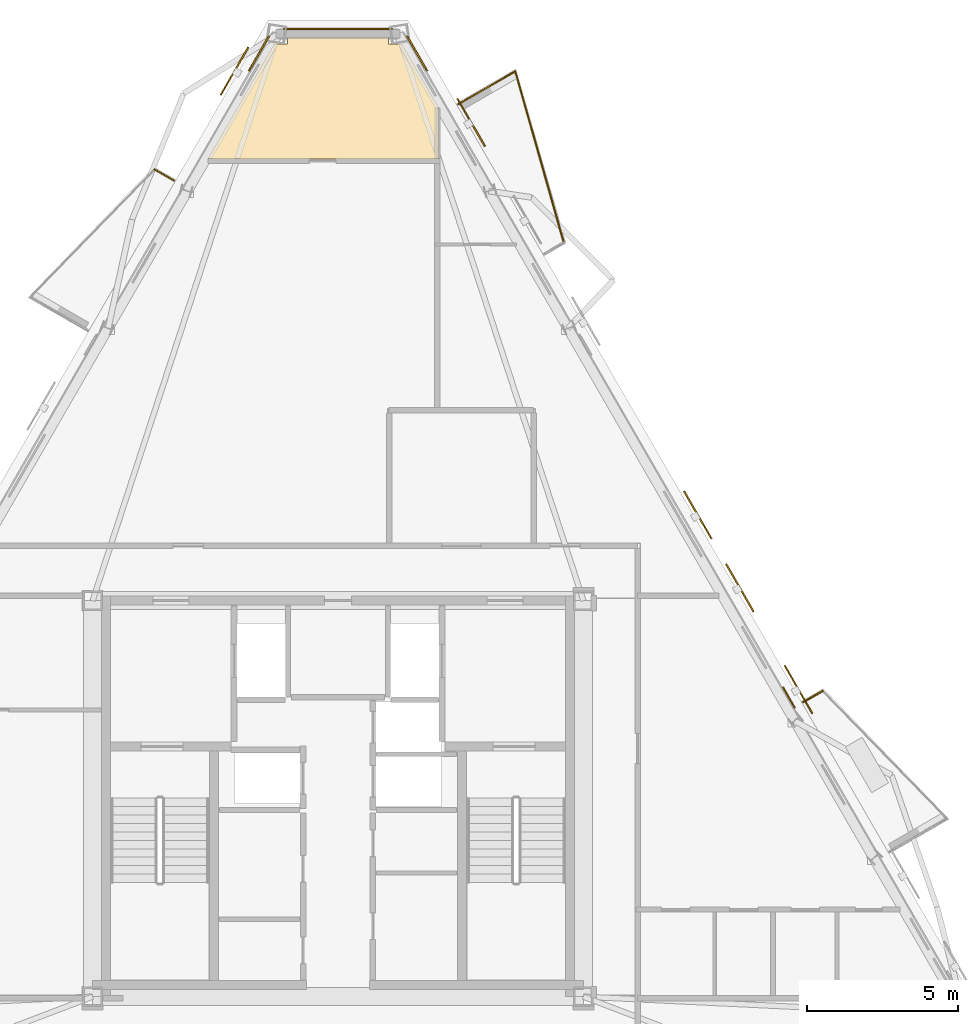
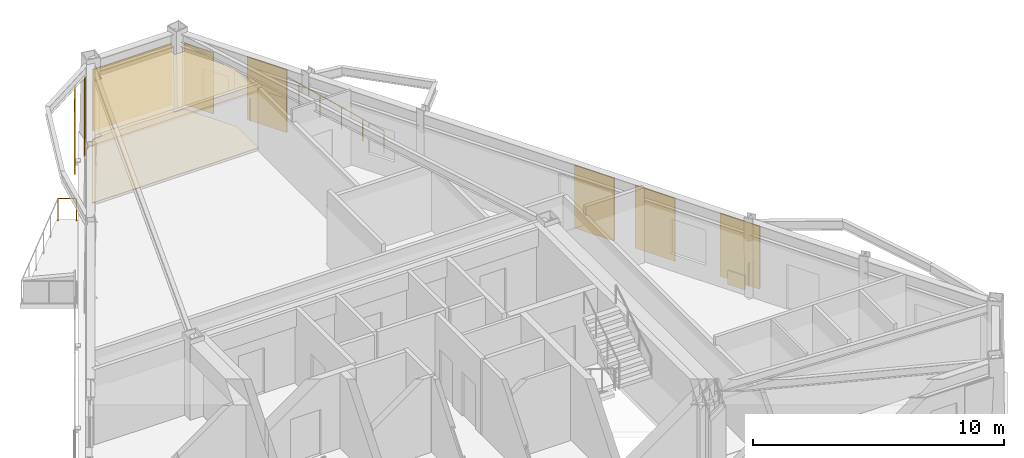
# One storey, part 9 of 9: 6 coverings, 5 shading devices, 4 railings.
"""IFC4 building model written with IfcOpenShell, lengths in metres."""

from ifc_helpers import new_model, si_unit, direction, frame, origin, origin_2d, place, context, subcontext, project, spatial, polyline, rectangle, circle, outline, extrude, material, layer, layer_set, type_object, element, save


model = new_model("IFC4")

# Units and contexts
model_context = context("Model", 3, precision=1e-05, world=origin(), true_north=direction((0.0, 1.0)))
body_context = subcontext(model_context, "Body", "Model", "MODEL_VIEW")
ifc_project = project(units=[si_unit("LENGTHUNIT", "METRE"), si_unit("AREAUNIT", "SQUARE_METRE"), si_unit("VOLUMEUNIT", "CUBIC_METRE"), si_unit("PLANEANGLEUNIT", "RADIAN"), si_unit("MASSUNIT", "GRAM", prefix="KILO")], contexts=[model_context])

# Site, building, storey
site_placement = place(None, origin())
site = spatial("IfcSite", under=ifc_project, at=site_placement, CompositionType="ELEMENT")
building_placement = place(site_placement, origin())
building = spatial("IfcBuilding", under=site, at=building_placement, Name="Oramaril Tower", CompositionType="ELEMENT")
storey_placement = place(building_placement, frame((0.0, 0.0, 292.800048828125)))
storey = spatial("IfcBuildingStorey", under=building, at=storey_placement, Name="L77", CompositionType="ELEMENT", Elevation=292.800048828125)

# Coverings
ifc_material_1 = material(Name="Mineral Fibre Acoustic Ceiling")
ifc_layer_1 = layer(ifc_material_1, 0.02001953125)
ifc_layer_set_1 = layer_set([ifc_layer_1], Name="CVT-CEIL")
covering_type_1 = type_object("IfcCoveringType", Name="CVT-CEIL", PredefinedType="CEILING", material=ifc_layer_set_1)
covering_1_placement = place(storey_placement, frame((0.0, 0.0, 2.81201171875)))
element("IfcCovering", 1, at=covering_1_placement, inside=storey, type_object=covering_type_1, Name="L77 Acoustic Suspended Ceiling 15", PredefinedType="CEILING", context=body_context, shape_type="SweptSolid", body=[
    extrude(outline(polyline([(39.172119140625, 42.646728515625), (39.617919921875, 42.646728515625), (40.842041015625, 40.526123046875), (40.842041015625, 38.81689453125), (33.171142578125, 38.81689453125), (35.382080078125, 42.646728515625), (35.827880859375, 42.646728515625), (35.827880859375, 42.8681640625), (39.172119140625, 42.8681640625), (39.172119140625, 42.646728515625)])), origin(), (0.0, 0.0, 1.0), 0.02001953125),
])
ifc_material_2 = material(Name="Warm Cream Limestone", Category="masonry")
ifc_layer_2 = layer(ifc_material_2, 0.050048828125)
ifc_layer_set_2 = layer_set([ifc_layer_2], Name="CVT-CLD")
covering_type_2 = type_object("IfcCoveringType", Name="CVT-CLD", PredefinedType="CLADDING", material=ifc_layer_set_2)
covering_2_placement = place(storey_placement, frame((40.122802734375, 42.323974609375, 0.0400390625), z_axis=(0.0, 0.0, 1.0), x_axis=(-0.5, 0.866025403784, 0.0)))
element("IfcCovering", 2, at=covering_2_placement, inside=storey, type_object=covering_type_2, Name="L77 Warm Cream Limestone Cladding", PredefinedType="CLADDING", context=body_context, shape_type="SweptSolid", body=[
    extrude(rectangle(XDim=1.35009765625, YDim=0.050048828125, at=origin_2d()), origin(), (0.0, 0.0, 1.0), 2.97802734375),
])
covering_3_placement = place(storey_placement, frame((52.4716796875, 20.93505859375, 0.0400390625), z_axis=(0.0, 0.0, 1.0), x_axis=(-0.5, 0.866025403784, 0.0)))
element("IfcCovering", 3, at=covering_3_placement, inside=storey, type_object=covering_type_2, Name="L77 Warm Cream Limestone Spandrel Cladding", PredefinedType="CLADDING", context=body_context, shape_type="SweptSolid", body=[
    extrude(rectangle(XDim=0.800048828125, YDim=0.050048828125, at=origin_2d()), origin(), (0.0, 0.0, 1.0), 0.679931640625),
])
covering_4_placement = place(storey_placement, frame((37.5, 43.14404296875, 0.0400390625), z_axis=(0.0, 0.0, 1.0), x_axis=(-1.0, 0.0, 0.0)))
element("IfcCovering", 4, at=covering_4_placement, inside=storey, type_object=covering_type_2, Name="L77 Warm Cream Limestone Cladding", PredefinedType="CLADDING", context=body_context, shape_type="SweptSolid", body=[
    extrude(rectangle(XDim=3.6044921875, YDim=0.050048828125, at=origin_2d()), origin(), (0.0, 0.0, 1.0), 2.97802734375),
])
covering_5_placement = place(storey_placement, frame((34.877197265625, 42.323974609375, 0.0400390625), z_axis=(0.0, 0.0, 1.0), x_axis=(-0.5, -0.866025403784, 0.0)))
element("IfcCovering", 5, at=covering_5_placement, inside=storey, type_object=covering_type_2, Name="L77 Warm Cream Limestone Cladding", PredefinedType="CLADDING", context=body_context, shape_type="SweptSolid", body=[
    extrude(rectangle(XDim=1.35009765625, YDim=0.050048828125, at=origin_2d()), origin(), (0.0, 0.0, 1.0), 2.97802734375),
])
ifc_material_3 = material(Name="Honed Quartzite Stone Flooring", Category="masonry")
ifc_layer_3 = layer(ifc_material_3, 0.02490234375)
ifc_layer_set_3 = layer_set([ifc_layer_3], Name="CVT-FLR")
covering_type_3 = type_object("IfcCoveringType", Name="CVT-FLR", PredefinedType="FLOORING", material=ifc_layer_set_3)
covering_6_placement = place(storey_placement, origin())
element("IfcCovering", 6, at=covering_6_placement, inside=storey, type_object=covering_type_3, Name="L77 Honed Stone Floor Finish 15", PredefinedType="FLOORING", context=body_context, shape_type="SweptSolid", body=[
    extrude(outline(polyline([(39.172119140625, 42.646728515625), (39.617919921875, 42.646728515625), (40.842041015625, 40.526123046875), (40.842041015625, 38.81689453125), (33.171142578125, 38.81689453125), (35.382080078125, 42.646728515625), (35.827880859375, 42.646728515625), (35.827880859375, 42.8681640625), (39.172119140625, 42.8681640625), (39.172119140625, 42.646728515625)])), origin(), (0.0, 0.0, 1.0), 0.02490234375),
])

# Railings
ifc_material_4 = material(Name="Stainless Steel 316L", Category="steel")
railing_type = type_object("IfcRailingType", Name="RLT-GRD", PredefinedType="GUARDRAIL", material=ifc_material_4)
railing_1_placement = place(storey_placement, frame((52.95263671875, 20.781982421875, 0.0)))
element("IfcRailing", 7, at=railing_1_placement, inside=storey, type_object=railing_type, Name="L77 Balcony Guardrail L77-BAL-NE1.1", PredefinedType="GUARDRAIL", context=body_context, shape_type="SweptSolid", body=[
    extrude(circle(Radius=0.02392578125, at=origin_2d()), frame((0.0, 0.0, 1.076171875), z_axis=(0.865966403178, 0.500102178127, 0.0), x_axis=(-0.500102178127, 0.865966403178, 0.0)), (0.0, 0.0, 1.0), 0.741943359375),
    extrude(circle(Radius=0.02099609375, at=origin_2d()), origin(), (0.0, 0.0, 1.0), 1.052001953125),
    extrude(circle(Radius=0.02099609375, at=origin_2d()), frame((0.642578125, 0.37109375, 0.0)), (0.0, 0.0, 1.0), 1.052001953125),
])
railing_2_placement = place(storey_placement, frame((41.489501953125, 40.63671875, 0.0)))
element("IfcRailing", 8, at=railing_2_placement, inside=storey, type_object=railing_type, Name="L77 Balcony Guardrail L77-BAL-NE2.1", PredefinedType="GUARDRAIL", context=body_context, shape_type="SweptSolid", body=[
    extrude(circle(Radius=0.02392578125, at=origin_2d()), frame((0.0, 0.0, 1.076171875), z_axis=(0.865972267571, 0.50009202333, 0.0), x_axis=(-0.50009202333, 0.865972267571, 0.0)), (0.0, 0.0, 1.0), 2.19189453125),
    extrude(circle(Radius=0.02099609375, at=origin_2d()), origin(), (0.0, 0.0, 1.0), 1.052001953125),
    extrude(circle(Radius=0.02099609375, at=origin_2d()), frame((0.94921875, 0.548095703125, 0.0)), (0.0, 0.0, 1.0), 1.052001953125),
    extrude(circle(Radius=0.02099609375, at=origin_2d()), frame((1.898193359375, 1.09619140625, 0.0)), (0.0, 0.0, 1.0), 1.052001953125),
])
railing_3_placement = place(storey_placement, frame((43.3876953125, 41.73291015625, 0.0)))
element("IfcRailing", 9, at=railing_3_placement, inside=storey, type_object=railing_type, Name="L77 Balcony Guardrail L77-BAL-NE2.2", PredefinedType="GUARDRAIL", context=body_context, shape_type="SweptSolid", body=[
    extrude(circle(Radius=0.02392578125, at=origin_2d()), frame((0.0, 0.0, 1.076171875), z_axis=(0.272287109361, -0.962216051662, 0.0), x_axis=(0.962216051662, 0.272287109361, 0.0)), (0.0, 0.0, 1.0), 5.91064453125),
    extrude(circle(Radius=0.02099609375, at=origin_2d()), origin(), (0.0, 0.0, 1.0), 1.052001953125),
    extrude(circle(Radius=0.02099609375, at=origin_2d()), frame((0.32177734375, -1.137451171875, 0.0)), (0.0, 0.0, 1.0), 1.052001953125),
    extrude(circle(Radius=0.02099609375, at=origin_2d()), frame((0.643798828125, -2.27490234375, 0.0)), (0.0, 0.0, 1.0), 1.052001953125),
    extrude(circle(Radius=0.02099609375, at=origin_2d()), frame((0.965576171875, -3.412353515625, 0.0)), (0.0, 0.0, 1.0), 1.052001953125),
    extrude(circle(Radius=0.02099609375, at=origin_2d()), frame((1.28759765625, -4.5498046875, 0.0)), (0.0, 0.0, 1.0), 1.052001953125),
    extrude(circle(Radius=0.02099609375, at=origin_2d()), frame((1.609375, -5.687255859375, 0.0)), (0.0, 0.0, 1.0), 1.052001953125),
])
railing_4_placement = place(storey_placement, frame((31.405517578125, 38.474609375, 0.0)))
element("IfcRailing", 10, at=railing_4_placement, inside=storey, type_object=railing_type, Name="L77 Balcony Guardrail L77-BAL-NW1.3", PredefinedType="GUARDRAIL", context=body_context, shape_type="SweptSolid", body=[
    extrude(circle(Radius=0.02392578125, at=origin_2d()), frame((0.0, 0.0, 1.076171875), z_axis=(0.866108878364, -0.499855389907, 0.0), x_axis=(0.499855389907, 0.866108878364, 0.0)), (0.0, 0.0, 1.0), 0.741943359375),
    extrude(circle(Radius=0.02099609375, at=origin_2d()), origin(), (0.0, 0.0, 1.0), 1.052001953125),
    extrude(circle(Radius=0.02099609375, at=origin_2d()), frame((0.642578125, -0.370849609375, 0.0)), (0.0, 0.0, 1.0), 1.052001953125),
])

# Shading devices
for number, where, z_axis, x_axis, name in (
    (11, (52.793212890625, 21.201904296875, -0.02001953125), (0.0, 0.0, 1.0), (-0.5, 0.866025403784, 0.0), "L77 Perforated Ceramic Solar Screen"),
    (12, (50.84326171875, 24.579345703125, -0.02001953125), (0.0, 0.0, 1.0), (-0.5, 0.866025403784, 0.0), "L77 Perforated Ceramic Solar Screen"),
    (13, (41.919921875, 40.035400390625, -0.02001953125), (0.0, 0.0, 1.0), (-0.5, 0.866025403784, 0.0), "L77 Perforated Ceramic Solar Screen"),
    (14, (49.450927734375, 26.9912109375, -0.02001953125), (0.0, 0.0, 1.0), (-0.5, 0.866025403784, 0.0), "L77 Perforated Ceramic Solar Screen"),
    (15, (34.062744140625, 41.737548828125, -0.02001953125), (0.0, 0.0, 1.0), (-0.5, -0.866025403784, 0.0), "L77 Perforated Ceramic Solar Screen"),
):
    element("IfcShadingDevice", number, at=place(storey_placement, frame(where, z_axis=z_axis, x_axis=x_axis)), inside=storey, Name=name, ObjectType="SCREEN", PredefinedType="USERDEFINED", context=body_context, shape_type="SweptSolid", body=[
        extrude(rectangle(XDim=1.8330078125, YDim=0.050048828125, at=origin_2d()), origin(), (0.0, 0.0, 1.0), 3.05810546875),
    ])

save(model, "model.ifc")
